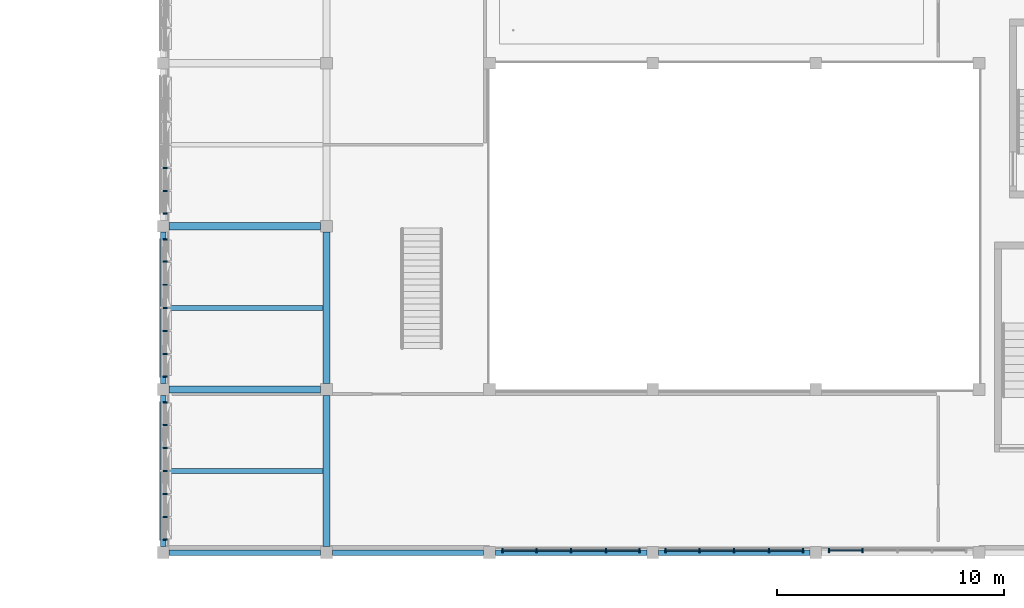
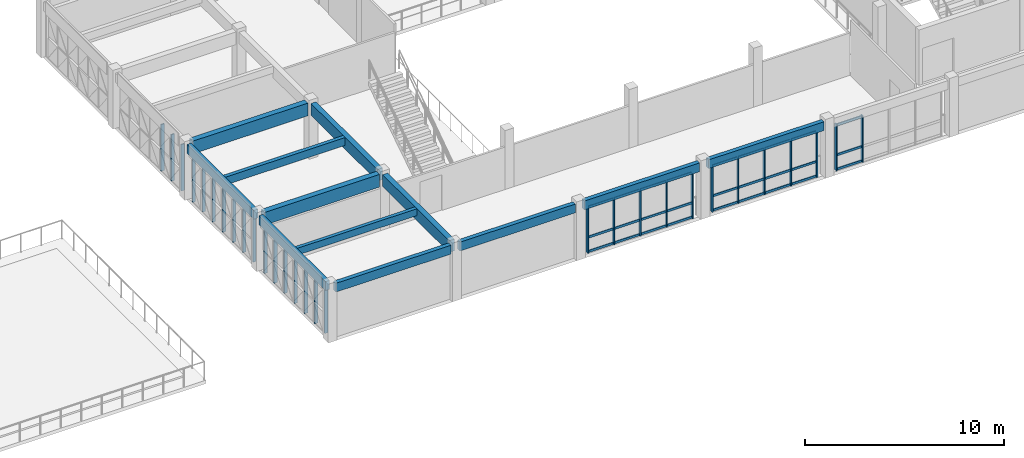
# One storey, part 11 of 99: 56 members, 12 beams, 6 elements without a shape of their own.
"""IFC4 building model written with IfcOpenShell, lengths in metres."""

from ifc_helpers import new_model, si_unit, direction, frame, origin, origin_2d, place, context, subcontext, project, spatial, rectangle, extrude, material, material_profile, profile_set, type_object, element, aggregate, save


model = new_model("IFC4")

# Units and contexts
model_context = context("Model", 3, precision=1e-05, world=origin(), true_north=direction((0.0, 1.0)))
body_context = subcontext(model_context, "Body", "Model", "MODEL_VIEW")
ifc_project = project(units=[si_unit("LENGTHUNIT", "METRE"), si_unit("AREAUNIT", "SQUARE_METRE"), si_unit("VOLUMEUNIT", "CUBIC_METRE"), si_unit("PLANEANGLEUNIT", "RADIAN"), si_unit("MASSUNIT", "GRAM", prefix="KILO")], contexts=[model_context])

# Site, building, storey
site_placement = place(None, origin())
site = spatial("IfcSite", under=ifc_project, at=site_placement, CompositionType="ELEMENT")
building_placement = place(site_placement, origin())
building = spatial("IfcBuilding", under=site, at=building_placement, Name="Alvorim Cloister Faculty of Sciences", CompositionType="ELEMENT")
storey_placement = place(building_placement, frame((0.0, 0.0, 12.14990234375)))
storey = spatial("IfcBuildingStorey", under=building, at=storey_placement, Name="L03", CompositionType="ELEMENT", Elevation=12.14990234375)

# Beams
ifc_material_1 = material(Name="Glulam GL32h", Category="wood")
ifc_material_profile_1 = material_profile(ifc_material_1, rectangle(XDim=0.300048828125, YDim=0.719970703125, at=origin_2d()), Name="GL32-BM-300x720")
ifc_profile_set_1 = profile_set([ifc_material_profile_1], Name="Glulam GL32h")
beam_type_1 = type_object("IfcBeamType", Name="BM-GL-300x720", PredefinedType="BEAM", material=ifc_profile_set_1)
for number, where, z_axis, x_axis, name in (
    (1, (72.0, 0.260009765625, 3.030029296875), (0.0, 1.0, 0.0), (-1.0, 0.0, 0.0), "L03 Primary Girder BM-1654"),
    (2, (72.0, 7.4599609375, 3.030029296875), (0.0, 1.0, 0.0), (-1.0, 0.0, 0.0), "L03 Primary Girder BM-1655"),
):
    element("IfcBeam", number, at=place(storey_placement, frame(where, z_axis=z_axis, x_axis=x_axis)), inside=storey, type_object=beam_type_1, Name=name, PredefinedType="BEAM", context=body_context, shape_type="SweptSolid", body=[
        extrude(rectangle(XDim=0.300048828125, YDim=0.719970703125, at=origin_2d()), origin(), (0.0, 0.0, 1.0), 6.679931640625),
    ])
ifc_material_profile_2 = material_profile(ifc_material_1, rectangle(XDim=0.320068359375, YDim=0.780029296875, at=origin_2d()), Name="GL32-BM-320x780")
ifc_profile_set_2 = profile_set([ifc_material_profile_2], Name="Glulam GL32h")
beam_type_2 = type_object("IfcBeamType", Name="BM-GL-320x780", PredefinedType="BEAM", material=ifc_profile_set_2)
for number, where, z_axis, x_axis, name in (
    (3, (65.06005859375, 7.199951171875, 3.0), (1.0, 0.0, 0.0), (0.0, 1.0, 0.0), "L03 Primary Beam BM-1519"),
    (4, (65.06005859375, 14.39990234375, 3.0), (1.0, 0.0, 0.0), (0.0, 1.0, 0.0), "L03 Primary Beam BM-1527"),
):
    element("IfcBeam", number, at=place(storey_placement, frame(where, z_axis=z_axis, x_axis=x_axis)), inside=storey, type_object=beam_type_2, Name=name, PredefinedType="BEAM", context=body_context, shape_type="SweptSolid", body=[
        extrude(rectangle(XDim=0.320068359375, YDim=0.780029296875, at=origin_2d()), origin(), (0.0, 0.0, 1.0), 6.679931640625),
    ])
ifc_material_2 = material(Name="Glulam GL28h", Category="wood")
ifc_material_profile_3 = material_profile(ifc_material_2, rectangle(XDim=0.199951171875, YDim=0.419921875, at=origin_2d()), Name="GL28-JST-200x420")
ifc_profile_set_3 = profile_set([ifc_material_profile_3], Name="Glulam GL28h")
beam_type_3 = type_object("IfcBeamType", Name="BM-JST-GL-200x420", PredefinedType="JOIST", material=ifc_profile_set_3)
beam_1_placement = place(storey_placement, frame((64.919921875, 3.60009765625, 3.18017578125), z_axis=(1.0, 0.0, 0.0), x_axis=(0.0, 1.0, 0.0)))
element("IfcBeam", 5, at=beam_1_placement, inside=storey, type_object=beam_type_3, Name="L03 Secondary Floor Joist BM-1714", PredefinedType="JOIST", context=body_context, shape_type="SweptSolid", body=[
    extrude(rectangle(XDim=0.199951171875, YDim=0.419921875, at=origin_2d()), origin(), (0.0, 0.0, 1.0), 6.93017578125),
])
ifc_material_profile_4 = material_profile(ifc_material_2, rectangle(XDim=0.219970703125, YDim=0.47998046875, at=origin_2d()), Name="GL28-JST-220x480")
ifc_profile_set_4 = profile_set([ifc_material_profile_4], Name="Glulam GL28h")
beam_type_4 = type_object("IfcBeamType", Name="BM-JST-GL-220x480", PredefinedType="JOIST", material=ifc_profile_set_4)
beam_2_placement = place(storey_placement, frame((64.919921875, 10.800048828125, 3.150146484375), z_axis=(1.0, 0.0, 0.0), x_axis=(0.0, 1.0, 0.0)))
element("IfcBeam", 6, at=beam_2_placement, inside=storey, type_object=beam_type_4, Name="L03 Secondary Floor Joist BM-1715", PredefinedType="JOIST", context=body_context, shape_type="SweptSolid", body=[
    extrude(rectangle(XDim=0.219970703125, YDim=0.47998046875, at=origin_2d()), origin(), (0.0, 0.0, 1.0), 6.93017578125),
])
ifc_material_profile_5 = material_profile(ifc_material_2, rectangle(XDim=0.239990234375, YDim=0.5400390625, at=origin_2d()), Name="GL28-SPD-240x540")
ifc_profile_set_5 = profile_set([ifc_material_profile_5], Name="Glulam GL28h")
beam_type_5 = type_object("IfcBeamType", Name="BM-SPD-GL-240x540", PredefinedType="SPANDREL", material=ifc_profile_set_5)
for number, where, z_axis, x_axis, name in (
    (7, (65.06005859375, 0.0, 3.1201171875), (1.0, 0.0, 0.0), (0.0, 1.0, 0.0), "L03 Primary Beam BM-1506"),
    (8, (72.260009765625, 0.0, 3.1201171875), (1.0, 0.0, 0.0), (0.0, 1.0, 0.0), "L03 Primary Beam BM-1507"),
    (9, (79.4599609375, 0.0, 3.1201171875), (1.0, 0.0, 0.0), (0.0, 1.0, 0.0), "L03 Primary Beam BM-1508"),
):
    element("IfcBeam", number, at=place(storey_placement, frame(where, z_axis=z_axis, x_axis=x_axis)), inside=storey, type_object=beam_type_5, Name=name, PredefinedType="SPANDREL", context=body_context, shape_type="SweptSolid", body=[
        extrude(rectangle(XDim=0.239990234375, YDim=0.5400390625, at=origin_2d()), origin(), (0.0, 0.0, 1.0), 6.679931640625),
    ])
beam_3_placement = place(storey_placement, frame((86.659912109375, 0.0, 3.1201171875), z_axis=(1.0, 0.0, 0.0), x_axis=(0.0, 1.0, 0.0)))
element("IfcBeam", 10, at=beam_3_placement, inside=storey, type_object=beam_type_5, Name="L03 Primary Beam BM-1509", PredefinedType="SPANDREL", context=body_context, shape_type="SweptSolid", body=[
    extrude(rectangle(XDim=0.239990234375, YDim=0.5400390625, at=origin_2d()), origin(), (0.0, 0.0, 1.0), 6.68017578125),
])
for number, where, z_axis, x_axis, name in (
    (11, (64.800048828125, 0.260009765625, 3.1201171875), (0.0, 1.0, 0.0), (-1.0, 0.0, 0.0), "L03 Primary Girder BM-1648"),
    (12, (64.800048828125, 7.4599609375, 3.1201171875), (0.0, 1.0, 0.0), (-1.0, 0.0, 0.0), "L03 Primary Girder BM-1649"),
):
    element("IfcBeam", number, at=place(storey_placement, frame(where, z_axis=z_axis, x_axis=x_axis)), inside=storey, type_object=beam_type_5, Name=name, PredefinedType="SPANDREL", context=body_context, shape_type="SweptSolid", body=[
        extrude(rectangle(XDim=0.239990234375, YDim=0.5400390625, at=origin_2d()), origin(), (0.0, 0.0, 1.0), 6.679931640625),
    ])

# Curtain wall, members
ifc_material_3 = material(Name="Aluminium and Low-E Glass Curtain Wall", Category="aluminium")
curtain_wall_type_1 = type_object("IfcCurtainWallType", Name="CW-GLZ-6120x2850", PredefinedType="USERDEFINED", material=ifc_material_3)
curtain_wall_1_placement = place(storey_placement, origin())
curtain_wall_1 = element("IfcCurtainWall", 13, at=curtain_wall_1_placement, inside=storey, type_object=curtain_wall_type_1, Name="L03 Entrance and Atrium Glazed Curtain Wall CW-0155", ObjectType="UNITISED CURTAIN WALL", PredefinedType="USERDEFINED")
ifc_material_4 = material(Name="Aluminium Alloy 6063-T6", Category="aluminium")
ifc_material_profile_6 = material_profile(ifc_material_4, rectangle(XDim=0.06494140625, YDim=0.179931640625, at=origin_2d()), Name="ALU-MUL-65x180")
ifc_profile_set_6 = profile_set([ifc_material_profile_6], Name="Aluminium Alloy 6063-T6")
member_type_1 = type_object("IfcMemberType", Name="CW-MUL-65x180", PredefinedType="MULLION", material=ifc_profile_set_6)
member_1_placement = place(storey_placement, frame((94.172607421875, 0.090087890625, 0.0), z_axis=(0.0, 0.0, 1.0), x_axis=(1.0, 0.0, 0.0)))
member_1 = element("IfcMember", 14, at=member_1_placement, type_object=member_type_1, Name="CW-10 mullion 1", PredefinedType="MULLION", context=body_context, shape_type="SweptSolid", body=[
    extrude(rectangle(XDim=0.06494140625, YDim=0.179931640625, at=origin_2d()), origin(), (0.0, 0.0, 1.0), 2.85009765625),
])
member_2_placement = place(storey_placement, frame((95.669921875, 0.090087890625, 0.0), z_axis=(0.0, 0.0, 1.0), x_axis=(1.0, 0.0, 0.0)))
member_2 = element("IfcMember", 15, at=member_2_placement, type_object=member_type_1, Name="CW-10 mullion 2", PredefinedType="MULLION", context=body_context, shape_type="SweptSolid", body=[
    extrude(rectangle(XDim=0.06494140625, YDim=0.179931640625, at=origin_2d()), origin(), (0.0, 0.0, 1.0), 2.85009765625),
])

curtain_wall_2_placement = place(storey_placement, origin())
curtain_wall_2 = element("IfcCurtainWall", 16, at=curtain_wall_2_placement, inside=storey, type_object=curtain_wall_type_1, Name="L03 Entrance and Atrium Glazed Curtain Wall CW-0156", ObjectType="UNITISED CURTAIN WALL", PredefinedType="USERDEFINED")
member_3_placement = place(storey_placement, frame((86.972412109375, 0.090087890625, 0.0), z_axis=(0.0, 0.0, 1.0), x_axis=(1.0, 0.0, 0.0)))
member_3 = element("IfcMember", 17, at=member_3_placement, type_object=member_type_1, Name="CW-10 mullion 1", PredefinedType="MULLION", context=body_context, shape_type="SweptSolid", body=[
    extrude(rectangle(XDim=0.06494140625, YDim=0.179931640625, at=origin_2d()), origin(), (0.0, 0.0, 1.0), 2.85009765625),
])
member_4_placement = place(storey_placement, frame((88.469970703125, 0.090087890625, 0.0), z_axis=(0.0, 0.0, 1.0), x_axis=(1.0, 0.0, 0.0)))
member_4 = element("IfcMember", 18, at=member_4_placement, type_object=member_type_1, Name="CW-10 mullion 2", PredefinedType="MULLION", context=body_context, shape_type="SweptSolid", body=[
    extrude(rectangle(XDim=0.06494140625, YDim=0.179931640625, at=origin_2d()), origin(), (0.0, 0.0, 1.0), 2.85009765625),
])
member_5_placement = place(storey_placement, frame((90.0, 0.090087890625, 0.0), z_axis=(0.0, 0.0, 1.0), x_axis=(1.0, 0.0, 0.0)))
member_5 = element("IfcMember", 19, at=member_5_placement, type_object=member_type_1, Name="CW-10 mullion 3", PredefinedType="MULLION", context=body_context, shape_type="SweptSolid", body=[
    extrude(rectangle(XDim=0.06494140625, YDim=0.179931640625, at=origin_2d()), origin(), (0.0, 0.0, 1.0), 2.85009765625),
])
member_6_placement = place(storey_placement, frame((91.530029296875, 0.090087890625, 0.0), z_axis=(0.0, 0.0, 1.0), x_axis=(1.0, 0.0, 0.0)))
member_6 = element("IfcMember", 20, at=member_6_placement, type_object=member_type_1, Name="CW-10 mullion 4", PredefinedType="MULLION", context=body_context, shape_type="SweptSolid", body=[
    extrude(rectangle(XDim=0.06494140625, YDim=0.179931640625, at=origin_2d()), origin(), (0.0, 0.0, 1.0), 2.85009765625),
])
member_7_placement = place(storey_placement, frame((93.027587890625, 0.090087890625, 0.0), z_axis=(0.0, 0.0, 1.0), x_axis=(1.0, 0.0, 0.0)))
member_7 = element("IfcMember", 21, at=member_7_placement, type_object=member_type_1, Name="CW-10 mullion 5", PredefinedType="MULLION", context=body_context, shape_type="SweptSolid", body=[
    extrude(rectangle(XDim=0.06494140625, YDim=0.179931640625, at=origin_2d()), origin(), (0.0, 0.0, 1.0), 2.85009765625),
])

curtain_wall_3_placement = place(storey_placement, origin())
curtain_wall_3 = element("IfcCurtainWall", 22, at=curtain_wall_3_placement, inside=storey, type_object=curtain_wall_type_1, Name="L03 Entrance and Atrium Glazed Curtain Wall CW-0157", ObjectType="UNITISED CURTAIN WALL", PredefinedType="USERDEFINED")
member_8_placement = place(storey_placement, frame((79.7724609375, 0.090087890625, 0.0), z_axis=(0.0, 0.0, 1.0), x_axis=(1.0, 0.0, 0.0)))
member_8 = element("IfcMember", 23, at=member_8_placement, type_object=member_type_1, Name="CW-10 mullion 1", PredefinedType="MULLION", context=body_context, shape_type="SweptSolid", body=[
    extrude(rectangle(XDim=0.06494140625, YDim=0.179931640625, at=origin_2d()), origin(), (0.0, 0.0, 1.0), 2.85009765625),
])
member_9_placement = place(storey_placement, frame((81.27001953125, 0.090087890625, 0.0), z_axis=(0.0, 0.0, 1.0), x_axis=(1.0, 0.0, 0.0)))
member_9 = element("IfcMember", 24, at=member_9_placement, type_object=member_type_1, Name="CW-10 mullion 2", PredefinedType="MULLION", context=body_context, shape_type="SweptSolid", body=[
    extrude(rectangle(XDim=0.06494140625, YDim=0.179931640625, at=origin_2d()), origin(), (0.0, 0.0, 1.0), 2.85009765625),
])
member_10_placement = place(storey_placement, frame((82.800048828125, 0.090087890625, 0.0), z_axis=(0.0, 0.0, 1.0), x_axis=(1.0, 0.0, 0.0)))
member_10 = element("IfcMember", 25, at=member_10_placement, type_object=member_type_1, Name="CW-10 mullion 3", PredefinedType="MULLION", context=body_context, shape_type="SweptSolid", body=[
    extrude(rectangle(XDim=0.06494140625, YDim=0.179931640625, at=origin_2d()), origin(), (0.0, 0.0, 1.0), 2.85009765625),
])
member_11_placement = place(storey_placement, frame((84.330078125, 0.090087890625, 0.0), z_axis=(0.0, 0.0, 1.0), x_axis=(1.0, 0.0, 0.0)))
member_11 = element("IfcMember", 26, at=member_11_placement, type_object=member_type_1, Name="CW-10 mullion 4", PredefinedType="MULLION", context=body_context, shape_type="SweptSolid", body=[
    extrude(rectangle(XDim=0.06494140625, YDim=0.179931640625, at=origin_2d()), origin(), (0.0, 0.0, 1.0), 2.85009765625),
])
member_12_placement = place(storey_placement, frame((85.827392578125, 0.090087890625, 0.0), z_axis=(0.0, 0.0, 1.0), x_axis=(1.0, 0.0, 0.0)))
member_12 = element("IfcMember", 27, at=member_12_placement, type_object=member_type_1, Name="CW-10 mullion 5", PredefinedType="MULLION", context=body_context, shape_type="SweptSolid", body=[
    extrude(rectangle(XDim=0.06494140625, YDim=0.179931640625, at=origin_2d()), origin(), (0.0, 0.0, 1.0), 2.85009765625),
])

curtain_wall_type_2 = type_object("IfcCurtainWallType", Name="CW-TRI-6120x2850", PredefinedType="USERDEFINED", material=ifc_material_3)
curtain_wall_4_placement = place(storey_placement, origin())
curtain_wall_4 = element("IfcCurtainWall", 28, at=curtain_wall_4_placement, inside=storey, type_object=curtain_wall_type_2, Name="L03 Diagonal Cassette Curtain Wall CW-0158", ObjectType="UNITISED CURTAIN WALL", PredefinedType="USERDEFINED")
member_13_placement = place(storey_placement, frame((64.889892578125, 0.572509765625, 0.0), z_axis=(0.0, 0.0, 1.0), x_axis=(0.0, 1.0, 0.0)))
member_13 = element("IfcMember", 29, at=member_13_placement, type_object=member_type_1, Name="CW-0158 Mullion 1", PredefinedType="MULLION", context=body_context, shape_type="SweptSolid", body=[
    extrude(rectangle(XDim=0.06494140625, YDim=0.179931640625, at=origin_2d()), origin(), (0.0, 0.0, 1.0), 2.85009765625),
])
member_14_placement = place(storey_placement, frame((64.889892578125, 1.56005859375, 0.0), z_axis=(0.0, 0.0, 1.0), x_axis=(0.0, 1.0, 0.0)))
member_14 = element("IfcMember", 30, at=member_14_placement, type_object=member_type_1, Name="CW-0158 Mullion 2", PredefinedType="MULLION", context=body_context, shape_type="SweptSolid", body=[
    extrude(rectangle(XDim=0.06494140625, YDim=0.179931640625, at=origin_2d()), origin(), (0.0, 0.0, 1.0), 2.85009765625),
])
member_15_placement = place(storey_placement, frame((64.889892578125, 2.580078125, 0.0), z_axis=(0.0, 0.0, 1.0), x_axis=(0.0, 1.0, 0.0)))
member_15 = element("IfcMember", 31, at=member_15_placement, type_object=member_type_1, Name="CW-0158 Mullion 3", PredefinedType="MULLION", context=body_context, shape_type="SweptSolid", body=[
    extrude(rectangle(XDim=0.06494140625, YDim=0.179931640625, at=origin_2d()), origin(), (0.0, 0.0, 1.0), 2.85009765625),
])
member_16_placement = place(storey_placement, frame((64.889892578125, 3.60009765625, 0.0), z_axis=(0.0, 0.0, 1.0), x_axis=(0.0, 1.0, 0.0)))
member_16 = element("IfcMember", 32, at=member_16_placement, type_object=member_type_1, Name="CW-0158 Mullion 4", PredefinedType="MULLION", context=body_context, shape_type="SweptSolid", body=[
    extrude(rectangle(XDim=0.06494140625, YDim=0.179931640625, at=origin_2d()), origin(), (0.0, 0.0, 1.0), 2.85009765625),
])
member_17_placement = place(storey_placement, frame((64.889892578125, 4.6201171875, 0.0), z_axis=(0.0, 0.0, 1.0), x_axis=(0.0, 1.0, 0.0)))
member_17 = element("IfcMember", 33, at=member_17_placement, type_object=member_type_1, Name="CW-0158 Mullion 5", PredefinedType="MULLION", context=body_context, shape_type="SweptSolid", body=[
    extrude(rectangle(XDim=0.06494140625, YDim=0.179931640625, at=origin_2d()), origin(), (0.0, 0.0, 1.0), 2.85009765625),
])
member_18_placement = place(storey_placement, frame((64.889892578125, 5.639892578125, 0.0), z_axis=(0.0, 0.0, 1.0), x_axis=(0.0, 1.0, 0.0)))
member_18 = element("IfcMember", 34, at=member_18_placement, type_object=member_type_1, Name="CW-0158 Mullion 6", PredefinedType="MULLION", context=body_context, shape_type="SweptSolid", body=[
    extrude(rectangle(XDim=0.06494140625, YDim=0.179931640625, at=origin_2d()), origin(), (0.0, 0.0, 1.0), 2.85009765625),
])
member_19_placement = place(storey_placement, frame((64.889892578125, 6.62744140625, 0.0), z_axis=(0.0, 0.0, 1.0), x_axis=(0.0, 1.0, 0.0)))
member_19 = element("IfcMember", 35, at=member_19_placement, type_object=member_type_1, Name="CW-0158 Mullion 7", PredefinedType="MULLION", context=body_context, shape_type="SweptSolid", body=[
    extrude(rectangle(XDim=0.06494140625, YDim=0.179931640625, at=origin_2d()), origin(), (0.0, 0.0, 1.0), 2.85009765625),
])
aggregate(curtain_wall_4, [member_13, member_14, member_15, member_16, member_17, member_18, member_19])

curtain_wall_5_placement = place(storey_placement, origin())
curtain_wall_5 = element("IfcCurtainWall", 36, at=curtain_wall_5_placement, inside=storey, type_object=curtain_wall_type_2, Name="L03 Diagonal Cassette Curtain Wall CW-0159", ObjectType="UNITISED CURTAIN WALL", PredefinedType="USERDEFINED")
member_20_placement = place(storey_placement, frame((64.889892578125, 7.7724609375, 0.0), z_axis=(0.0, 0.0, 1.0), x_axis=(0.0, 1.0, 0.0)))
member_20 = element("IfcMember", 37, at=member_20_placement, type_object=member_type_1, Name="CW-0159 Mullion 1", PredefinedType="MULLION", context=body_context, shape_type="SweptSolid", body=[
    extrude(rectangle(XDim=0.06494140625, YDim=0.179931640625, at=origin_2d()), origin(), (0.0, 0.0, 1.0), 2.85009765625),
])
member_21_placement = place(storey_placement, frame((64.889892578125, 8.760009765625, 0.0), z_axis=(0.0, 0.0, 1.0), x_axis=(0.0, 1.0, 0.0)))
member_21 = element("IfcMember", 38, at=member_21_placement, type_object=member_type_1, Name="CW-0159 Mullion 2", PredefinedType="MULLION", context=body_context, shape_type="SweptSolid", body=[
    extrude(rectangle(XDim=0.06494140625, YDim=0.179931640625, at=origin_2d()), origin(), (0.0, 0.0, 1.0), 2.85009765625),
])
member_22_placement = place(storey_placement, frame((64.889892578125, 9.780029296875, 0.0), z_axis=(0.0, 0.0, 1.0), x_axis=(0.0, 1.0, 0.0)))
member_22 = element("IfcMember", 39, at=member_22_placement, type_object=member_type_1, Name="CW-0159 Mullion 3", PredefinedType="MULLION", context=body_context, shape_type="SweptSolid", body=[
    extrude(rectangle(XDim=0.06494140625, YDim=0.179931640625, at=origin_2d()), origin(), (0.0, 0.0, 1.0), 2.85009765625),
])
member_23_placement = place(storey_placement, frame((64.889892578125, 10.800048828125, 0.0), z_axis=(0.0, 0.0, 1.0), x_axis=(0.0, 1.0, 0.0)))
member_23 = element("IfcMember", 40, at=member_23_placement, type_object=member_type_1, Name="CW-0159 Mullion 4", PredefinedType="MULLION", context=body_context, shape_type="SweptSolid", body=[
    extrude(rectangle(XDim=0.06494140625, YDim=0.179931640625, at=origin_2d()), origin(), (0.0, 0.0, 1.0), 2.85009765625),
])
member_24_placement = place(storey_placement, frame((64.889892578125, 11.820068359375, 0.0), z_axis=(0.0, 0.0, 1.0), x_axis=(0.0, 1.0, 0.0)))
member_24 = element("IfcMember", 41, at=member_24_placement, type_object=member_type_1, Name="CW-0159 Mullion 5", PredefinedType="MULLION", context=body_context, shape_type="SweptSolid", body=[
    extrude(rectangle(XDim=0.06494140625, YDim=0.179931640625, at=origin_2d()), origin(), (0.0, 0.0, 1.0), 2.85009765625),
])
member_25_placement = place(storey_placement, frame((64.889892578125, 12.840087890625, 0.0), z_axis=(0.0, 0.0, 1.0), x_axis=(0.0, 1.0, 0.0)))
member_25 = element("IfcMember", 42, at=member_25_placement, type_object=member_type_1, Name="CW-0159 Mullion 6", PredefinedType="MULLION", context=body_context, shape_type="SweptSolid", body=[
    extrude(rectangle(XDim=0.06494140625, YDim=0.179931640625, at=origin_2d()), origin(), (0.0, 0.0, 1.0), 2.85009765625),
])
member_26_placement = place(storey_placement, frame((64.889892578125, 13.827392578125, 0.0), z_axis=(0.0, 0.0, 1.0), x_axis=(0.0, 1.0, 0.0)))
member_26 = element("IfcMember", 43, at=member_26_placement, type_object=member_type_1, Name="CW-0159 Mullion 7", PredefinedType="MULLION", context=body_context, shape_type="SweptSolid", body=[
    extrude(rectangle(XDim=0.06494140625, YDim=0.179931640625, at=origin_2d()), origin(), (0.0, 0.0, 1.0), 2.85009765625),
])
aggregate(curtain_wall_5, [member_20, member_21, member_22, member_23, member_24, member_25, member_26])

curtain_wall_6_placement = place(storey_placement, origin())
curtain_wall_6 = element("IfcCurtainWall", 44, at=curtain_wall_6_placement, inside=storey, type_object=curtain_wall_type_2, Name="L03 Diagonal Cassette Curtain Wall CW-0160", ObjectType="UNITISED CURTAIN WALL", PredefinedType="USERDEFINED")
member_27_placement = place(storey_placement, frame((64.889892578125, 14.972412109375, 0.0), z_axis=(0.0, 0.0, 1.0), x_axis=(0.0, 1.0, 0.0)))
member_27 = element("IfcMember", 45, at=member_27_placement, type_object=member_type_1, Name="CW-0160 Mullion 1", PredefinedType="MULLION", context=body_context, shape_type="SweptSolid", body=[
    extrude(rectangle(XDim=0.06494140625, YDim=0.179931640625, at=origin_2d()), origin(), (0.0, 0.0, 1.0), 2.85009765625),
])
member_28_placement = place(storey_placement, frame((64.889892578125, 15.9599609375, 0.0), z_axis=(0.0, 0.0, 1.0), x_axis=(0.0, 1.0, 0.0)))
member_28 = element("IfcMember", 46, at=member_28_placement, type_object=member_type_1, Name="CW-0160 Mullion 2", PredefinedType="MULLION", context=body_context, shape_type="SweptSolid", body=[
    extrude(rectangle(XDim=0.06494140625, YDim=0.179931640625, at=origin_2d()), origin(), (0.0, 0.0, 1.0), 2.85009765625),
])
member_29_placement = place(storey_placement, frame((64.889892578125, 16.97998046875, 0.0), z_axis=(0.0, 0.0, 1.0), x_axis=(0.0, 1.0, 0.0)))
member_29 = element("IfcMember", 47, at=member_29_placement, type_object=member_type_1, Name="CW-0160 Mullion 3", PredefinedType="MULLION", context=body_context, shape_type="SweptSolid", body=[
    extrude(rectangle(XDim=0.06494140625, YDim=0.179931640625, at=origin_2d()), origin(), (0.0, 0.0, 1.0), 2.85009765625),
])
aggregate(curtain_wall_6, [member_27, member_28, member_29])

# Member
ifc_material_profile_7 = material_profile(ifc_material_4, rectangle(XDim=0.06494140625, YDim=0.139892578125, at=origin_2d()), Name="ALU-TRN-65x140")
ifc_profile_set_7 = profile_set([ifc_material_profile_7], Name="Aluminium Alloy 6063-T6")
member_type_2 = type_object("IfcMemberType", Name="CW-TRN-65x140", PredefinedType="USERDEFINED", material=ifc_profile_set_7)
member_30_placement = place(storey_placement, frame((94.205078125, 0.090087890625, 0.070068359375), z_axis=(1.0, 0.0, 0.0), x_axis=(0.0, 1.0, 0.0)))
member_30 = element("IfcMember", 48, at=member_30_placement, type_object=member_type_2, Name="CW-10 transom 1.1", ObjectType="TRANSOM", PredefinedType="USERDEFINED", context=body_context, shape_type="SweptSolid", body=[
    extrude(rectangle(XDim=0.06494140625, YDim=0.139892578125, at=origin_2d()), origin(), (0.0, 0.0, 1.0), 1.432373046875),
])

member_31_placement = place(storey_placement, frame((94.205078125, 0.090087890625, 0.9501953125), z_axis=(1.0, 0.0, 0.0), x_axis=(0.0, 1.0, 0.0)))
member_31 = element("IfcMember", 49, at=member_31_placement, type_object=member_type_2, Name="CW-10 transom 1.2", ObjectType="TRANSOM", PredefinedType="USERDEFINED", context=body_context, shape_type="SweptSolid", body=[
    extrude(rectangle(XDim=0.06494140625, YDim=0.139892578125, at=origin_2d()), origin(), (0.0, 0.0, 1.0), 1.432373046875),
])

member_32_placement = place(storey_placement, frame((94.205078125, 0.090087890625, 2.780029296875), z_axis=(1.0, 0.0, 0.0), x_axis=(0.0, 1.0, 0.0)))
member_32 = element("IfcMember", 50, at=member_32_placement, type_object=member_type_2, Name="CW-10 transom 1.3", ObjectType="TRANSOM", PredefinedType="USERDEFINED", context=body_context, shape_type="SweptSolid", body=[
    extrude(rectangle(XDim=0.06494140625, YDim=0.139892578125, at=origin_2d()), origin(), (0.0, 0.0, 1.0), 1.432373046875),
])

aggregate(curtain_wall_1, [member_1, member_2, member_30, member_31, member_32])

member_33_placement = place(storey_placement, frame((87.0048828125, 0.090087890625, 0.070068359375), z_axis=(1.0, 0.0, 0.0), x_axis=(0.0, 1.0, 0.0)))
member_33 = element("IfcMember", 51, at=member_33_placement, type_object=member_type_2, Name="CW-10 transom 1.1", ObjectType="TRANSOM", PredefinedType="USERDEFINED", context=body_context, shape_type="SweptSolid", body=[
    extrude(rectangle(XDim=0.06494140625, YDim=0.139892578125, at=origin_2d()), origin(), (0.0, 0.0, 1.0), 1.4326171875),
])

member_34_placement = place(storey_placement, frame((87.0048828125, 0.090087890625, 0.9501953125), z_axis=(1.0, 0.0, 0.0), x_axis=(0.0, 1.0, 0.0)))
member_34 = element("IfcMember", 52, at=member_34_placement, type_object=member_type_2, Name="CW-10 transom 1.2", ObjectType="TRANSOM", PredefinedType="USERDEFINED", context=body_context, shape_type="SweptSolid", body=[
    extrude(rectangle(XDim=0.06494140625, YDim=0.139892578125, at=origin_2d()), origin(), (0.0, 0.0, 1.0), 1.4326171875),
])

member_35_placement = place(storey_placement, frame((87.0048828125, 0.090087890625, 2.780029296875), z_axis=(1.0, 0.0, 0.0), x_axis=(0.0, 1.0, 0.0)))
member_35 = element("IfcMember", 53, at=member_35_placement, type_object=member_type_2, Name="CW-10 transom 1.3", ObjectType="TRANSOM", PredefinedType="USERDEFINED", context=body_context, shape_type="SweptSolid", body=[
    extrude(rectangle(XDim=0.06494140625, YDim=0.139892578125, at=origin_2d()), origin(), (0.0, 0.0, 1.0), 1.4326171875),
])

member_36_placement = place(storey_placement, frame((88.50244140625, 0.090087890625, 0.070068359375), z_axis=(1.0, 0.0, 0.0), x_axis=(0.0, 1.0, 0.0)))
member_36 = element("IfcMember", 54, at=member_36_placement, type_object=member_type_2, Name="CW-10 transom 2.1", ObjectType="TRANSOM", PredefinedType="USERDEFINED", context=body_context, shape_type="SweptSolid", body=[
    extrude(rectangle(XDim=0.06494140625, YDim=0.139892578125, at=origin_2d()), origin(), (0.0, 0.0, 1.0), 1.465087890625),
])

member_37_placement = place(storey_placement, frame((88.50244140625, 0.090087890625, 0.9501953125), z_axis=(1.0, 0.0, 0.0), x_axis=(0.0, 1.0, 0.0)))
member_37 = element("IfcMember", 55, at=member_37_placement, type_object=member_type_2, Name="CW-10 transom 2.2", ObjectType="TRANSOM", PredefinedType="USERDEFINED", context=body_context, shape_type="SweptSolid", body=[
    extrude(rectangle(XDim=0.06494140625, YDim=0.139892578125, at=origin_2d()), origin(), (0.0, 0.0, 1.0), 1.465087890625),
])

member_38_placement = place(storey_placement, frame((88.50244140625, 0.090087890625, 2.780029296875), z_axis=(1.0, 0.0, 0.0), x_axis=(0.0, 1.0, 0.0)))
member_38 = element("IfcMember", 56, at=member_38_placement, type_object=member_type_2, Name="CW-10 transom 2.3", ObjectType="TRANSOM", PredefinedType="USERDEFINED", context=body_context, shape_type="SweptSolid", body=[
    extrude(rectangle(XDim=0.06494140625, YDim=0.139892578125, at=origin_2d()), origin(), (0.0, 0.0, 1.0), 1.465087890625),
])

member_39_placement = place(storey_placement, frame((90.032470703125, 0.090087890625, 0.070068359375), z_axis=(1.0, 0.0, 0.0), x_axis=(0.0, 1.0, 0.0)))
member_39 = element("IfcMember", 57, at=member_39_placement, type_object=member_type_2, Name="CW-10 transom 3.1", ObjectType="TRANSOM", PredefinedType="USERDEFINED", context=body_context, shape_type="SweptSolid", body=[
    extrude(rectangle(XDim=0.06494140625, YDim=0.139892578125, at=origin_2d()), origin(), (0.0, 0.0, 1.0), 1.465087890625),
])

member_40_placement = place(storey_placement, frame((90.032470703125, 0.090087890625, 0.9501953125), z_axis=(1.0, 0.0, 0.0), x_axis=(0.0, 1.0, 0.0)))
member_40 = element("IfcMember", 58, at=member_40_placement, type_object=member_type_2, Name="CW-10 transom 3.2", ObjectType="TRANSOM", PredefinedType="USERDEFINED", context=body_context, shape_type="SweptSolid", body=[
    extrude(rectangle(XDim=0.06494140625, YDim=0.139892578125, at=origin_2d()), origin(), (0.0, 0.0, 1.0), 1.465087890625),
])

member_41_placement = place(storey_placement, frame((90.032470703125, 0.090087890625, 2.780029296875), z_axis=(1.0, 0.0, 0.0), x_axis=(0.0, 1.0, 0.0)))
member_41 = element("IfcMember", 59, at=member_41_placement, type_object=member_type_2, Name="CW-10 transom 3.3", ObjectType="TRANSOM", PredefinedType="USERDEFINED", context=body_context, shape_type="SweptSolid", body=[
    extrude(rectangle(XDim=0.06494140625, YDim=0.139892578125, at=origin_2d()), origin(), (0.0, 0.0, 1.0), 1.465087890625),
])

member_42_placement = place(storey_placement, frame((91.5625, 0.090087890625, 0.070068359375), z_axis=(1.0, 0.0, 0.0), x_axis=(0.0, 1.0, 0.0)))
member_42 = element("IfcMember", 60, at=member_42_placement, type_object=member_type_2, Name="CW-10 transom 4.1", ObjectType="TRANSOM", PredefinedType="USERDEFINED", context=body_context, shape_type="SweptSolid", body=[
    extrude(rectangle(XDim=0.06494140625, YDim=0.139892578125, at=origin_2d()), origin(), (0.0, 0.0, 1.0), 1.4326171875),
])

member_43_placement = place(storey_placement, frame((91.5625, 0.090087890625, 0.9501953125), z_axis=(1.0, 0.0, 0.0), x_axis=(0.0, 1.0, 0.0)))
member_43 = element("IfcMember", 61, at=member_43_placement, type_object=member_type_2, Name="CW-10 transom 4.2", ObjectType="TRANSOM", PredefinedType="USERDEFINED", context=body_context, shape_type="SweptSolid", body=[
    extrude(rectangle(XDim=0.06494140625, YDim=0.139892578125, at=origin_2d()), origin(), (0.0, 0.0, 1.0), 1.4326171875),
])

member_44_placement = place(storey_placement, frame((91.5625, 0.090087890625, 2.780029296875), z_axis=(1.0, 0.0, 0.0), x_axis=(0.0, 1.0, 0.0)))
member_44 = element("IfcMember", 62, at=member_44_placement, type_object=member_type_2, Name="CW-10 transom 4.3", ObjectType="TRANSOM", PredefinedType="USERDEFINED", context=body_context, shape_type="SweptSolid", body=[
    extrude(rectangle(XDim=0.06494140625, YDim=0.139892578125, at=origin_2d()), origin(), (0.0, 0.0, 1.0), 1.4326171875),
])

aggregate(curtain_wall_2, [member_3, member_4, member_5, member_6, member_7, member_33, member_34, member_35, member_36, member_37, member_38, member_39, member_40, member_41, member_42, member_43, member_44])

member_45_placement = place(storey_placement, frame((79.804931640625, 0.090087890625, 0.070068359375), z_axis=(1.0, 0.0, 0.0), x_axis=(0.0, 1.0, 0.0)))
member_45 = element("IfcMember", 63, at=member_45_placement, type_object=member_type_2, Name="CW-10 transom 1.1", ObjectType="TRANSOM", PredefinedType="USERDEFINED", context=body_context, shape_type="SweptSolid", body=[
    extrude(rectangle(XDim=0.06494140625, YDim=0.139892578125, at=origin_2d()), origin(), (0.0, 0.0, 1.0), 1.4326171875),
])

member_46_placement = place(storey_placement, frame((79.804931640625, 0.090087890625, 0.9501953125), z_axis=(1.0, 0.0, 0.0), x_axis=(0.0, 1.0, 0.0)))
member_46 = element("IfcMember", 64, at=member_46_placement, type_object=member_type_2, Name="CW-10 transom 1.2", ObjectType="TRANSOM", PredefinedType="USERDEFINED", context=body_context, shape_type="SweptSolid", body=[
    extrude(rectangle(XDim=0.06494140625, YDim=0.139892578125, at=origin_2d()), origin(), (0.0, 0.0, 1.0), 1.4326171875),
])

member_47_placement = place(storey_placement, frame((79.804931640625, 0.090087890625, 2.780029296875), z_axis=(1.0, 0.0, 0.0), x_axis=(0.0, 1.0, 0.0)))
member_47 = element("IfcMember", 65, at=member_47_placement, type_object=member_type_2, Name="CW-10 transom 1.3", ObjectType="TRANSOM", PredefinedType="USERDEFINED", context=body_context, shape_type="SweptSolid", body=[
    extrude(rectangle(XDim=0.06494140625, YDim=0.139892578125, at=origin_2d()), origin(), (0.0, 0.0, 1.0), 1.4326171875),
])

member_48_placement = place(storey_placement, frame((81.302490234375, 0.090087890625, 0.070068359375), z_axis=(1.0, 0.0, 0.0), x_axis=(0.0, 1.0, 0.0)))
member_48 = element("IfcMember", 66, at=member_48_placement, type_object=member_type_2, Name="CW-10 transom 2.1", ObjectType="TRANSOM", PredefinedType="USERDEFINED", context=body_context, shape_type="SweptSolid", body=[
    extrude(rectangle(XDim=0.06494140625, YDim=0.139892578125, at=origin_2d()), origin(), (0.0, 0.0, 1.0), 1.465087890625),
])

member_49_placement = place(storey_placement, frame((81.302490234375, 0.090087890625, 0.9501953125), z_axis=(1.0, 0.0, 0.0), x_axis=(0.0, 1.0, 0.0)))
member_49 = element("IfcMember", 67, at=member_49_placement, type_object=member_type_2, Name="CW-10 transom 2.2", ObjectType="TRANSOM", PredefinedType="USERDEFINED", context=body_context, shape_type="SweptSolid", body=[
    extrude(rectangle(XDim=0.06494140625, YDim=0.139892578125, at=origin_2d()), origin(), (0.0, 0.0, 1.0), 1.465087890625),
])

member_50_placement = place(storey_placement, frame((81.302490234375, 0.090087890625, 2.780029296875), z_axis=(1.0, 0.0, 0.0), x_axis=(0.0, 1.0, 0.0)))
member_50 = element("IfcMember", 68, at=member_50_placement, type_object=member_type_2, Name="CW-10 transom 2.3", ObjectType="TRANSOM", PredefinedType="USERDEFINED", context=body_context, shape_type="SweptSolid", body=[
    extrude(rectangle(XDim=0.06494140625, YDim=0.139892578125, at=origin_2d()), origin(), (0.0, 0.0, 1.0), 1.465087890625),
])

member_51_placement = place(storey_placement, frame((82.83251953125, 0.090087890625, 0.070068359375), z_axis=(1.0, 0.0, 0.0), x_axis=(0.0, 1.0, 0.0)))
member_51 = element("IfcMember", 69, at=member_51_placement, type_object=member_type_2, Name="CW-10 transom 3.1", ObjectType="TRANSOM", PredefinedType="USERDEFINED", context=body_context, shape_type="SweptSolid", body=[
    extrude(rectangle(XDim=0.06494140625, YDim=0.139892578125, at=origin_2d()), origin(), (0.0, 0.0, 1.0), 1.465087890625),
])

member_52_placement = place(storey_placement, frame((82.83251953125, 0.090087890625, 0.9501953125), z_axis=(1.0, 0.0, 0.0), x_axis=(0.0, 1.0, 0.0)))
member_52 = element("IfcMember", 70, at=member_52_placement, type_object=member_type_2, Name="CW-10 transom 3.2", ObjectType="TRANSOM", PredefinedType="USERDEFINED", context=body_context, shape_type="SweptSolid", body=[
    extrude(rectangle(XDim=0.06494140625, YDim=0.139892578125, at=origin_2d()), origin(), (0.0, 0.0, 1.0), 1.465087890625),
])

member_53_placement = place(storey_placement, frame((82.83251953125, 0.090087890625, 2.780029296875), z_axis=(1.0, 0.0, 0.0), x_axis=(0.0, 1.0, 0.0)))
member_53 = element("IfcMember", 71, at=member_53_placement, type_object=member_type_2, Name="CW-10 transom 3.3", ObjectType="TRANSOM", PredefinedType="USERDEFINED", context=body_context, shape_type="SweptSolid", body=[
    extrude(rectangle(XDim=0.06494140625, YDim=0.139892578125, at=origin_2d()), origin(), (0.0, 0.0, 1.0), 1.465087890625),
])

member_54_placement = place(storey_placement, frame((84.362548828125, 0.090087890625, 0.070068359375), z_axis=(1.0, 0.0, 0.0), x_axis=(0.0, 1.0, 0.0)))
member_54 = element("IfcMember", 72, at=member_54_placement, type_object=member_type_2, Name="CW-10 transom 4.1", ObjectType="TRANSOM", PredefinedType="USERDEFINED", context=body_context, shape_type="SweptSolid", body=[
    extrude(rectangle(XDim=0.06494140625, YDim=0.139892578125, at=origin_2d()), origin(), (0.0, 0.0, 1.0), 1.432373046875),
])

member_55_placement = place(storey_placement, frame((84.362548828125, 0.090087890625, 0.9501953125), z_axis=(1.0, 0.0, 0.0), x_axis=(0.0, 1.0, 0.0)))
member_55 = element("IfcMember", 73, at=member_55_placement, type_object=member_type_2, Name="CW-10 transom 4.2", ObjectType="TRANSOM", PredefinedType="USERDEFINED", context=body_context, shape_type="SweptSolid", body=[
    extrude(rectangle(XDim=0.06494140625, YDim=0.139892578125, at=origin_2d()), origin(), (0.0, 0.0, 1.0), 1.432373046875),
])

member_56_placement = place(storey_placement, frame((84.362548828125, 0.090087890625, 2.780029296875), z_axis=(1.0, 0.0, 0.0), x_axis=(0.0, 1.0, 0.0)))
member_56 = element("IfcMember", 74, at=member_56_placement, type_object=member_type_2, Name="CW-10 transom 4.3", ObjectType="TRANSOM", PredefinedType="USERDEFINED", context=body_context, shape_type="SweptSolid", body=[
    extrude(rectangle(XDim=0.06494140625, YDim=0.139892578125, at=origin_2d()), origin(), (0.0, 0.0, 1.0), 1.432373046875),
])

aggregate(curtain_wall_3, [member_8, member_9, member_10, member_11, member_12, member_45, member_46, member_47, member_48, member_49, member_50, member_51, member_52, member_53, member_54, member_55, member_56])

save(model, "model.ifc")
